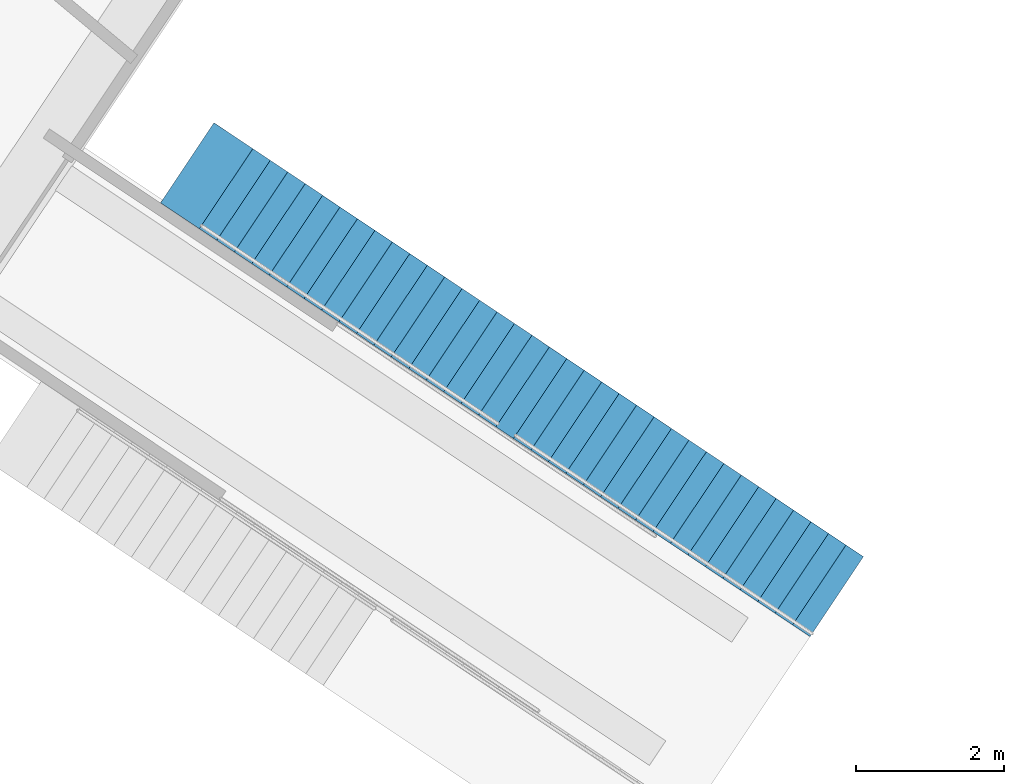
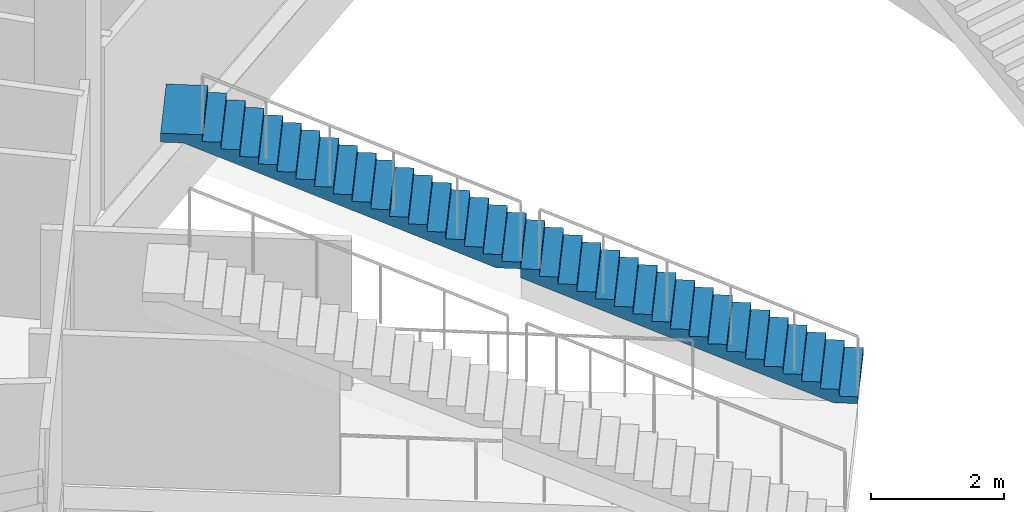
# One storey, part 119 of 175: 2 stair flights, 1 element without a shape of its own.
"""IFC4 building model written with IfcOpenShell, lengths in metres."""

from ifc_helpers import new_model, si_unit, direction, frame, origin, place, context, subcontext, project, spatial, faceted_brep, material, type_object, element, aggregate, save


model = new_model("IFC4")

# Units and contexts
model_context = context("Model", 3, precision=1e-05, world=origin(), true_north=direction((0.0, 1.0)))
body_context = subcontext(model_context, "Body", "Model", "MODEL_VIEW")
ifc_project = project(units=[si_unit("LENGTHUNIT", "METRE"), si_unit("AREAUNIT", "SQUARE_METRE"), si_unit("VOLUMEUNIT", "CUBIC_METRE"), si_unit("PLANEANGLEUNIT", "RADIAN"), si_unit("MASSUNIT", "GRAM", prefix="KILO")], contexts=[model_context])

# Site, building, storey
site_placement = place(None, origin())
site = spatial("IfcSite", under=ifc_project, at=site_placement, CompositionType="ELEMENT")
building_placement = place(site_placement, origin())
building = spatial("IfcBuilding", under=site, at=building_placement, Name="Ogive Plaza Stadium", CompositionType="ELEMENT")
storey_placement = place(building_placement, origin())
storey = spatial("IfcBuildingStorey", under=building, at=storey_placement, Name="L00", CompositionType="ELEMENT", Elevation=0.0)

# Stair, stair flights
ifc_material_1 = material(Name="Concrete C40/50", Category="concrete")
stair_type = type_object("IfcStairType", Name="Aisle stair", PredefinedType="STRAIGHT_RUN_STAIR", material=ifc_material_1)
stair_placement = place(storey_placement, origin())
stair = element("IfcStair", 1, at=stair_placement, inside=storey, type_object=stair_type, Name="Aisle stair SA29L", PredefinedType="STRAIGHT_RUN_STAIR")
ifc_material_2 = material(Name="Concrete C40/50", Category="concrete")
stair_flight_type = type_object("IfcStairFlightType", Name="Aisle stair flight", PredefinedType="STRAIGHT", material=ifc_material_2)
stair_flight_1_placement = place(storey_placement, frame((-45.43017578125, 62.6630859375, 0.0), z_axis=(0.0, 0.0, 1.0), x_axis=(-0.831469612303, 0.55557023302, 0.0)))
stair_flight_1 = element("IfcStairFlight", 2, at=stair_flight_1_placement, type_object=stair_flight_type, Name="SA29L flight 1", NumberOfRisers=18, NumberOfTreads=17, PredefinedType="STRAIGHT", RiserHeight=0.125, TreadLength=0.283333333, context=body_context, shape_type="Brep", body=[
    faceted_brep([(0.371337890625, -0.64990234375, 0.0), (5.10009765625, -0.64990234375, 2.086181640625), (5.10009765625, -0.64990234375, 2.25), (4.816650390625, -0.64990234375, 2.25), (4.816650390625, -0.64990234375, 2.125), (4.533447265625, -0.64990234375, 2.125), (4.533447265625, -0.64990234375, 2.0), (4.25, -0.64990234375, 2.0), (4.25, -0.64990234375, 1.875), (3.966552734375, -0.64990234375, 1.875), (3.966552734375, -0.64990234375, 1.75), (3.683349609375, -0.64990234375, 1.75), (3.683349609375, -0.64990234375, 1.625), (3.39990234375, -0.64990234375, 1.625), (3.39990234375, -0.64990234375, 1.5), (3.11669921875, -0.64990234375, 1.5), (3.11669921875, -0.64990234375, 1.375), (2.833251953125, -0.64990234375, 1.375), (2.833251953125, -0.64990234375, 1.25), (2.550048828125, -0.64990234375, 1.25), (2.550048828125, -0.64990234375, 1.125), (2.2666015625, -0.64990234375, 1.125), (2.2666015625, -0.64990234375, 1.0), (1.9833984375, -0.64990234375, 1.0), (1.9833984375, -0.64990234375, 0.875), (1.699951171875, -0.64990234375, 0.875), (1.699951171875, -0.64990234375, 0.75), (1.416748046875, -0.64990234375, 0.75), (1.416748046875, -0.64990234375, 0.625), (1.13330078125, -0.64990234375, 0.625), (1.13330078125, -0.64990234375, 0.5), (0.85009765625, -0.64990234375, 0.5), (0.85009765625, -0.64990234375, 0.375), (0.566650390625, -0.64990234375, 0.375), (0.566650390625, -0.64990234375, 0.25), (0.283447265625, -0.64990234375, 0.25), (0.283447265625, -0.64990234375, 0.125), (0.0, -0.64990234375, 0.125), (0.0, -0.64990234375, 0.0), (0.0, 0.64990234375, 0.0), (0.0, 0.64990234375, 0.125), (0.283447265625, 0.64990234375, 0.125), (0.283447265625, 0.64990234375, 0.25), (0.566650390625, 0.64990234375, 0.25), (0.566650390625, 0.64990234375, 0.375), (0.85009765625, 0.64990234375, 0.375), (0.85009765625, 0.64990234375, 0.5), (1.13330078125, 0.64990234375, 0.5), (1.13330078125, 0.64990234375, 0.625), (1.416748046875, 0.64990234375, 0.625), (1.416748046875, 0.64990234375, 0.75), (1.699951171875, 0.64990234375, 0.75), (1.699951171875, 0.64990234375, 0.875), (1.9833984375, 0.64990234375, 0.875), (1.9833984375, 0.64990234375, 1.0), (2.2666015625, 0.64990234375, 1.0), (2.2666015625, 0.64990234375, 1.125), (2.550048828125, 0.64990234375, 1.125), (2.550048828125, 0.64990234375, 1.25), (2.833251953125, 0.64990234375, 1.25), (2.833251953125, 0.64990234375, 1.375), (3.11669921875, 0.64990234375, 1.375), (3.11669921875, 0.64990234375, 1.5), (3.39990234375, 0.64990234375, 1.5), (3.39990234375, 0.64990234375, 1.625), (3.683349609375, 0.64990234375, 1.625), (3.683349609375, 0.64990234375, 1.75), (3.966552734375, 0.64990234375, 1.75), (3.966552734375, 0.64990234375, 1.875), (4.25, 0.64990234375, 1.875), (4.25, 0.64990234375, 2.0), (4.533447265625, 0.64990234375, 2.0), (4.533447265625, 0.64990234375, 2.125), (4.816650390625, 0.64990234375, 2.125), (4.816650390625, 0.64990234375, 2.25), (5.10009765625, 0.64990234375, 2.25), (5.10009765625, 0.64990234375, 2.086181640625), (0.371337890625, 0.64990234375, 0.0), (0.371337890625, -0.324951171875, 0.0), (5.10009765625, -0.324951171875, 2.086181640625), (0.371337890625, 0.0, 0.0), (5.10009765625, 0.0, 2.086181640625), (0.371337890625, 0.324951171875, 0.0), (5.10009765625, 0.324951171875, 2.086181640625), (5.10009765625, -0.324951171875, 2.25), (5.10009765625, 0.0, 2.25), (5.10009765625, 0.324951171875, 2.25), (4.816650390625, -0.324951171875, 2.25), (4.816650390625, 0.0, 2.25), (4.816650390625, 0.324951171875, 2.25), (4.816650390625, -0.324951171875, 2.125), (4.816650390625, 0.0, 2.125), (4.816650390625, 0.324951171875, 2.125), (4.533447265625, -0.324951171875, 2.125), (4.533447265625, 0.0, 2.125), (4.533447265625, 0.324951171875, 2.125), (4.533447265625, -0.324951171875, 2.0), (4.533447265625, 0.0, 2.0), (4.533447265625, 0.324951171875, 2.0), (4.25, -0.324951171875, 2.0), (4.25, 0.0, 2.0), (4.25, 0.324951171875, 2.0), (4.25, -0.324951171875, 1.875), (4.25, 0.0, 1.875), (4.25, 0.324951171875, 1.875), (3.966552734375, -0.324951171875, 1.875), (3.966552734375, 0.0, 1.875), (3.966552734375, 0.324951171875, 1.875), (3.966552734375, -0.324951171875, 1.75), (3.966552734375, 0.0, 1.75), (3.966552734375, 0.324951171875, 1.75), (3.683349609375, -0.324951171875, 1.75), (3.683349609375, 0.0, 1.75), (3.683349609375, 0.324951171875, 1.75), (3.683349609375, -0.324951171875, 1.625), (3.683349609375, 0.0, 1.625), (3.683349609375, 0.324951171875, 1.625), (3.39990234375, -0.324951171875, 1.625), (3.39990234375, 0.0, 1.625), (3.39990234375, 0.324951171875, 1.625), (3.39990234375, -0.324951171875, 1.5), (3.39990234375, 0.0, 1.5), (3.39990234375, 0.324951171875, 1.5), (3.11669921875, -0.324951171875, 1.5), (3.11669921875, 0.0, 1.5), (3.11669921875, 0.324951171875, 1.5), (3.11669921875, -0.324951171875, 1.375), (3.11669921875, 0.0, 1.375), (3.11669921875, 0.324951171875, 1.375), (2.833251953125, -0.324951171875, 1.375), (2.833251953125, 0.0, 1.375), (2.833251953125, 0.324951171875, 1.375), (2.833251953125, -0.324951171875, 1.25), (2.833251953125, 0.0, 1.25), (2.833251953125, 0.324951171875, 1.25), (2.550048828125, -0.324951171875, 1.25), (2.550048828125, 0.0, 1.25), (2.550048828125, 0.324951171875, 1.25), (2.550048828125, -0.324951171875, 1.125), (2.550048828125, 0.0, 1.125), (2.550048828125, 0.324951171875, 1.125), (2.2666015625, -0.324951171875, 1.125), (2.2666015625, 0.0, 1.125), (2.2666015625, 0.324951171875, 1.125), (2.2666015625, -0.324951171875, 1.0), (2.2666015625, 0.0, 1.0), (2.2666015625, 0.324951171875, 1.0), (1.9833984375, -0.324951171875, 1.0), (1.9833984375, 0.0, 1.0), (1.9833984375, 0.324951171875, 1.0), (1.9833984375, -0.324951171875, 0.875), (1.9833984375, 0.0, 0.875), (1.9833984375, 0.324951171875, 0.875), (1.699951171875, -0.324951171875, 0.875), (1.699951171875, 0.0, 0.875), (1.699951171875, 0.324951171875, 0.875), (1.699951171875, -0.324951171875, 0.75), (1.699951171875, 0.0, 0.75), (1.699951171875, 0.324951171875, 0.75), (1.416748046875, -0.324951171875, 0.75), (1.416748046875, 0.0, 0.75), (1.416748046875, 0.324951171875, 0.75), (1.416748046875, -0.324951171875, 0.625), (1.416748046875, 0.0, 0.625), (1.416748046875, 0.324951171875, 0.625), (1.13330078125, -0.324951171875, 0.625), (1.13330078125, 0.0, 0.625), (1.13330078125, 0.324951171875, 0.625), (1.13330078125, -0.324951171875, 0.5), (1.13330078125, 0.0, 0.5), (1.13330078125, 0.324951171875, 0.5), (0.85009765625, -0.324951171875, 0.5), (0.85009765625, 0.0, 0.5), (0.85009765625, 0.324951171875, 0.5), (0.85009765625, -0.324951171875, 0.375), (0.85009765625, 0.0, 0.375), (0.85009765625, 0.324951171875, 0.375), (0.566650390625, -0.324951171875, 0.375), (0.566650390625, 0.0, 0.375), (0.566650390625, 0.324951171875, 0.375), (0.566650390625, -0.324951171875, 0.25), (0.566650390625, 0.0, 0.25), (0.566650390625, 0.324951171875, 0.25), (0.283447265625, -0.324951171875, 0.25), (0.283447265625, 0.0, 0.25), (0.283447265625, 0.324951171875, 0.25), (0.283447265625, -0.324951171875, 0.125), (0.283447265625, 0.0, 0.125), (0.283447265625, 0.324951171875, 0.125), (0.0, -0.324951171875, 0.125), (0.0, 0.0, 0.125), (0.0, 0.324951171875, 0.125), (0.0, -0.324951171875, 0.0), (0.0, 0.0, 0.0), (0.0, 0.324951171875, 0.0)], [[[0, 1, 2, 3, 4, 5, 6, 7, 8, 9, 10, 11, 12, 13, 14, 15, 16, 17, 18, 19, 20, 21, 22, 23, 24, 25, 26, 27, 28, 29, 30, 31, 32, 33, 34, 35, 36, 37, 38]], [[39, 40, 41, 42, 43, 44, 45, 46, 47, 48, 49, 50, 51, 52, 53, 54, 55, 56, 57, 58, 59, 60, 61, 62, 63, 64, 65, 66, 67, 68, 69, 70, 71, 72, 73, 74, 75, 76, 77]], [[0, 78, 79, 1]], [[78, 80, 81, 79]], [[80, 82, 83, 81]], [[82, 77, 76, 83]], [[1, 79, 84, 2]], [[79, 81, 85, 84]], [[81, 83, 86, 85]], [[83, 76, 75, 86]], [[2, 84, 87, 3]], [[84, 85, 88, 87]], [[85, 86, 89, 88]], [[86, 75, 74, 89]], [[3, 87, 90, 4]], [[87, 88, 91, 90]], [[88, 89, 92, 91]], [[89, 74, 73, 92]], [[4, 90, 93, 5]], [[90, 91, 94, 93]], [[91, 92, 95, 94]], [[92, 73, 72, 95]], [[5, 93, 96, 6]], [[93, 94, 97, 96]], [[94, 95, 98, 97]], [[95, 72, 71, 98]], [[6, 96, 99, 7]], [[96, 97, 100, 99]], [[97, 98, 101, 100]], [[98, 71, 70, 101]], [[7, 99, 102, 8]], [[99, 100, 103, 102]], [[100, 101, 104, 103]], [[101, 70, 69, 104]], [[8, 102, 105, 9]], [[102, 103, 106, 105]], [[103, 104, 107, 106]], [[104, 69, 68, 107]], [[9, 105, 108, 10]], [[105, 106, 109, 108]], [[106, 107, 110, 109]], [[107, 68, 67, 110]], [[10, 108, 111, 11]], [[108, 109, 112, 111]], [[109, 110, 113, 112]], [[110, 67, 66, 113]], [[11, 111, 114, 12]], [[111, 112, 115, 114]], [[112, 113, 116, 115]], [[113, 66, 65, 116]], [[12, 114, 117, 13]], [[114, 115, 118, 117]], [[115, 116, 119, 118]], [[116, 65, 64, 119]], [[13, 117, 120, 14]], [[117, 118, 121, 120]], [[118, 119, 122, 121]], [[119, 64, 63, 122]], [[14, 120, 123, 15]], [[120, 121, 124, 123]], [[121, 122, 125, 124]], [[122, 63, 62, 125]], [[15, 123, 126, 16]], [[123, 124, 127, 126]], [[124, 125, 128, 127]], [[125, 62, 61, 128]], [[16, 126, 129, 17]], [[126, 127, 130, 129]], [[127, 128, 131, 130]], [[128, 61, 60, 131]], [[17, 129, 132, 18]], [[129, 130, 133, 132]], [[130, 131, 134, 133]], [[131, 60, 59, 134]], [[18, 132, 135, 19]], [[132, 133, 136, 135]], [[133, 134, 137, 136]], [[134, 59, 58, 137]], [[19, 135, 138, 20]], [[135, 136, 139, 138]], [[136, 137, 140, 139]], [[137, 58, 57, 140]], [[20, 138, 141, 21]], [[138, 139, 142, 141]], [[139, 140, 143, 142]], [[140, 57, 56, 143]], [[21, 141, 144, 22]], [[141, 142, 145, 144]], [[142, 143, 146, 145]], [[143, 56, 55, 146]], [[22, 144, 147, 23]], [[144, 145, 148, 147]], [[145, 146, 149, 148]], [[146, 55, 54, 149]], [[23, 147, 150, 24]], [[147, 148, 151, 150]], [[148, 149, 152, 151]], [[149, 54, 53, 152]], [[24, 150, 153, 25]], [[150, 151, 154, 153]], [[151, 152, 155, 154]], [[152, 53, 52, 155]], [[25, 153, 156, 26]], [[153, 154, 157, 156]], [[154, 155, 158, 157]], [[155, 52, 51, 158]], [[26, 156, 159, 27]], [[156, 157, 160, 159]], [[157, 158, 161, 160]], [[158, 51, 50, 161]], [[27, 159, 162, 28]], [[159, 160, 163, 162]], [[160, 161, 164, 163]], [[161, 50, 49, 164]], [[28, 162, 165, 29]], [[162, 163, 166, 165]], [[163, 164, 167, 166]], [[164, 49, 48, 167]], [[29, 165, 168, 30]], [[165, 166, 169, 168]], [[166, 167, 170, 169]], [[167, 48, 47, 170]], [[30, 168, 171, 31]], [[168, 169, 172, 171]], [[169, 170, 173, 172]], [[170, 47, 46, 173]], [[31, 171, 174, 32]], [[171, 172, 175, 174]], [[172, 173, 176, 175]], [[173, 46, 45, 176]], [[32, 174, 177, 33]], [[174, 175, 178, 177]], [[175, 176, 179, 178]], [[176, 45, 44, 179]], [[33, 177, 180, 34]], [[177, 178, 181, 180]], [[178, 179, 182, 181]], [[179, 44, 43, 182]], [[34, 180, 183, 35]], [[180, 181, 184, 183]], [[181, 182, 185, 184]], [[182, 43, 42, 185]], [[35, 183, 186, 36]], [[183, 184, 187, 186]], [[184, 185, 188, 187]], [[185, 42, 41, 188]], [[36, 186, 189, 37]], [[186, 187, 190, 189]], [[187, 188, 191, 190]], [[188, 41, 40, 191]], [[37, 189, 192, 38]], [[189, 190, 193, 192]], [[190, 191, 194, 193]], [[191, 40, 39, 194]], [[38, 192, 78, 0]], [[192, 193, 80, 78]], [[193, 194, 82, 80]], [[194, 39, 77, 82]]]),
])
stair_flight_2_placement = place(storey_placement, frame((-49.670654296875, 65.496337890625, 2.25), z_axis=(0.0, 0.0, 1.0), x_axis=(-0.831469612303, 0.55557023302, 0.0)))
stair_flight_2 = element("IfcStairFlight", 3, at=stair_flight_2_placement, type_object=stair_flight_type, Name="SA29L flight 2", NumberOfRisers=18, NumberOfTreads=17, PredefinedType="STRAIGHT", RiserHeight=0.125, TreadLength=0.283333333, context=body_context, shape_type="Brep", body=[
    faceted_brep([(0.371337890625, -0.64990234375, 0.0), (5.10009765625, -0.64990234375, 2.086181640625), (5.446533203125, -0.64990234375, 2.086181640625), (5.446533203125, -0.64990234375, 2.25), (4.816650390625, -0.64990234375, 2.25), (4.816650390625, -0.64990234375, 2.125), (4.533447265625, -0.64990234375, 2.125), (4.533447265625, -0.64990234375, 2.0), (4.25, -0.64990234375, 2.0), (4.25, -0.64990234375, 1.875), (3.966552734375, -0.64990234375, 1.875), (3.966552734375, -0.64990234375, 1.75), (3.683349609375, -0.64990234375, 1.75), (3.683349609375, -0.64990234375, 1.625), (3.39990234375, -0.64990234375, 1.625), (3.39990234375, -0.64990234375, 1.5), (3.11669921875, -0.64990234375, 1.5), (3.11669921875, -0.64990234375, 1.375), (2.833251953125, -0.64990234375, 1.375), (2.833251953125, -0.64990234375, 1.25), (2.550048828125, -0.64990234375, 1.25), (2.550048828125, -0.64990234375, 1.125), (2.2666015625, -0.64990234375, 1.125), (2.2666015625, -0.64990234375, 1.0), (1.9833984375, -0.64990234375, 1.0), (1.9833984375, -0.64990234375, 0.875), (1.699951171875, -0.64990234375, 0.875), (1.699951171875, -0.64990234375, 0.75), (1.416748046875, -0.64990234375, 0.75), (1.416748046875, -0.64990234375, 0.625), (1.13330078125, -0.64990234375, 0.625), (1.13330078125, -0.64990234375, 0.5), (0.85009765625, -0.64990234375, 0.5), (0.85009765625, -0.64990234375, 0.375), (0.566650390625, -0.64990234375, 0.375), (0.566650390625, -0.64990234375, 0.25), (0.283447265625, -0.64990234375, 0.25), (0.283447265625, -0.64990234375, 0.125), (0.0, -0.64990234375, 0.125), (0.0, -0.64990234375, 0.0), (0.0, 0.64990234375, 0.0), (0.0, 0.64990234375, 0.125), (0.283447265625, 0.64990234375, 0.125), (0.283447265625, 0.64990234375, 0.25), (0.566650390625, 0.64990234375, 0.25), (0.566650390625, 0.64990234375, 0.375), (0.85009765625, 0.64990234375, 0.375), (0.85009765625, 0.64990234375, 0.5), (1.13330078125, 0.64990234375, 0.5), (1.13330078125, 0.64990234375, 0.625), (1.416748046875, 0.64990234375, 0.625), (1.416748046875, 0.64990234375, 0.75), (1.699951171875, 0.64990234375, 0.75), (1.699951171875, 0.64990234375, 0.875), (1.9833984375, 0.64990234375, 0.875), (1.9833984375, 0.64990234375, 1.0), (2.2666015625, 0.64990234375, 1.0), (2.2666015625, 0.64990234375, 1.125), (2.550048828125, 0.64990234375, 1.125), (2.550048828125, 0.64990234375, 1.25), (2.833251953125, 0.64990234375, 1.25), (2.833251953125, 0.64990234375, 1.375), (3.11669921875, 0.64990234375, 1.375), (3.11669921875, 0.64990234375, 1.5), (3.39990234375, 0.64990234375, 1.5), (3.39990234375, 0.64990234375, 1.625), (3.683349609375, 0.64990234375, 1.625), (3.683349609375, 0.64990234375, 1.75), (3.966552734375, 0.64990234375, 1.75), (3.966552734375, 0.64990234375, 1.875), (4.25, 0.64990234375, 1.875), (4.25, 0.64990234375, 2.0), (4.533447265625, 0.64990234375, 2.0), (4.533447265625, 0.64990234375, 2.125), (4.816650390625, 0.64990234375, 2.125), (4.816650390625, 0.64990234375, 2.25), (5.446533203125, 0.64990234375, 2.25), (5.446533203125, 0.64990234375, 2.086181640625), (5.10009765625, 0.64990234375, 2.086181640625), (0.371337890625, 0.64990234375, 0.0), (0.371337890625, -0.324951171875, 0.0), (5.10009765625, -0.324951171875, 2.086181640625), (0.371337890625, 0.0, 0.0), (5.10009765625, 0.0, 2.086181640625), (0.371337890625, 0.324951171875, 0.0), (5.10009765625, 0.324951171875, 2.086181640625), (5.446533203125, -0.324951171875, 2.086181640625), (5.446533203125, 0.0, 2.086181640625), (5.446533203125, 0.324951171875, 2.086181640625), (5.446533203125, -0.324951171875, 2.25), (5.446533203125, 0.0, 2.25), (5.446533203125, 0.324951171875, 2.25), (4.816650390625, -0.324951171875, 2.25), (4.816650390625, 0.0, 2.25), (4.816650390625, 0.324951171875, 2.25), (4.816650390625, -0.324951171875, 2.125), (4.816650390625, 0.0, 2.125), (4.816650390625, 0.324951171875, 2.125), (4.533447265625, -0.324951171875, 2.125), (4.533447265625, 0.0, 2.125), (4.533447265625, 0.324951171875, 2.125), (4.533447265625, -0.324951171875, 2.0), (4.533447265625, 0.0, 2.0), (4.533447265625, 0.324951171875, 2.0), (4.25, -0.324951171875, 2.0), (4.25, 0.0, 2.0), (4.25, 0.324951171875, 2.0), (4.25, -0.324951171875, 1.875), (4.25, 0.0, 1.875), (4.25, 0.324951171875, 1.875), (3.966552734375, -0.324951171875, 1.875), (3.966552734375, 0.0, 1.875), (3.966552734375, 0.324951171875, 1.875), (3.966552734375, -0.324951171875, 1.75), (3.966552734375, 0.0, 1.75), (3.966552734375, 0.324951171875, 1.75), (3.683349609375, -0.324951171875, 1.75), (3.683349609375, 0.0, 1.75), (3.683349609375, 0.324951171875, 1.75), (3.683349609375, -0.324951171875, 1.625), (3.683349609375, 0.0, 1.625), (3.683349609375, 0.324951171875, 1.625), (3.39990234375, -0.324951171875, 1.625), (3.39990234375, 0.0, 1.625), (3.39990234375, 0.324951171875, 1.625), (3.39990234375, -0.324951171875, 1.5), (3.39990234375, 0.0, 1.5), (3.39990234375, 0.324951171875, 1.5), (3.11669921875, -0.324951171875, 1.5), (3.11669921875, 0.0, 1.5), (3.11669921875, 0.324951171875, 1.5), (3.11669921875, -0.324951171875, 1.375), (3.11669921875, 0.0, 1.375), (3.11669921875, 0.324951171875, 1.375), (2.833251953125, -0.324951171875, 1.375), (2.833251953125, 0.0, 1.375), (2.833251953125, 0.324951171875, 1.375), (2.833251953125, -0.324951171875, 1.25), (2.833251953125, 0.0, 1.25), (2.833251953125, 0.324951171875, 1.25), (2.550048828125, -0.324951171875, 1.25), (2.550048828125, 0.0, 1.25), (2.550048828125, 0.324951171875, 1.25), (2.550048828125, -0.324951171875, 1.125), (2.550048828125, 0.0, 1.125), (2.550048828125, 0.324951171875, 1.125), (2.2666015625, -0.324951171875, 1.125), (2.2666015625, 0.0, 1.125), (2.2666015625, 0.324951171875, 1.125), (2.2666015625, -0.324951171875, 1.0), (2.2666015625, 0.0, 1.0), (2.2666015625, 0.324951171875, 1.0), (1.9833984375, -0.324951171875, 1.0), (1.9833984375, 0.0, 1.0), (1.9833984375, 0.324951171875, 1.0), (1.9833984375, -0.324951171875, 0.875), (1.9833984375, 0.0, 0.875), (1.9833984375, 0.324951171875, 0.875), (1.699951171875, -0.324951171875, 0.875), (1.699951171875, 0.0, 0.875), (1.699951171875, 0.324951171875, 0.875), (1.699951171875, -0.324951171875, 0.75), (1.699951171875, 0.0, 0.75), (1.699951171875, 0.324951171875, 0.75), (1.416748046875, -0.324951171875, 0.75), (1.416748046875, 0.0, 0.75), (1.416748046875, 0.324951171875, 0.75), (1.416748046875, -0.324951171875, 0.625), (1.416748046875, 0.0, 0.625), (1.416748046875, 0.324951171875, 0.625), (1.13330078125, -0.324951171875, 0.625), (1.13330078125, 0.0, 0.625), (1.13330078125, 0.324951171875, 0.625), (1.13330078125, -0.324951171875, 0.5), (1.13330078125, 0.0, 0.5), (1.13330078125, 0.324951171875, 0.5), (0.85009765625, -0.324951171875, 0.5), (0.85009765625, 0.0, 0.5), (0.85009765625, 0.324951171875, 0.5), (0.85009765625, -0.324951171875, 0.375), (0.85009765625, 0.0, 0.375), (0.85009765625, 0.324951171875, 0.375), (0.566650390625, -0.324951171875, 0.375), (0.566650390625, 0.0, 0.375), (0.566650390625, 0.324951171875, 0.375), (0.566650390625, -0.324951171875, 0.25), (0.566650390625, 0.0, 0.25), (0.566650390625, 0.324951171875, 0.25), (0.283447265625, -0.324951171875, 0.25), (0.283447265625, 0.0, 0.25), (0.283447265625, 0.324951171875, 0.25), (0.283447265625, -0.324951171875, 0.125), (0.283447265625, 0.0, 0.125), (0.283447265625, 0.324951171875, 0.125), (0.0, -0.324951171875, 0.125), (0.0, 0.0, 0.125), (0.0, 0.324951171875, 0.125), (0.0, -0.324951171875, 0.0), (0.0, 0.0, 0.0), (0.0, 0.324951171875, 0.0)], [[[0, 1, 2, 3, 4, 5, 6, 7, 8, 9, 10, 11, 12, 13, 14, 15, 16, 17, 18, 19, 20, 21, 22, 23, 24, 25, 26, 27, 28, 29, 30, 31, 32, 33, 34, 35, 36, 37, 38, 39]], [[40, 41, 42, 43, 44, 45, 46, 47, 48, 49, 50, 51, 52, 53, 54, 55, 56, 57, 58, 59, 60, 61, 62, 63, 64, 65, 66, 67, 68, 69, 70, 71, 72, 73, 74, 75, 76, 77, 78, 79]], [[0, 80, 81, 1]], [[80, 82, 83, 81]], [[82, 84, 85, 83]], [[84, 79, 78, 85]], [[1, 81, 86, 2]], [[81, 83, 87, 86]], [[83, 85, 88, 87]], [[85, 78, 77, 88]], [[2, 86, 89, 3]], [[86, 87, 90, 89]], [[87, 88, 91, 90]], [[88, 77, 76, 91]], [[3, 89, 92, 4]], [[89, 90, 93, 92]], [[90, 91, 94, 93]], [[91, 76, 75, 94]], [[4, 92, 95, 5]], [[92, 93, 96, 95]], [[93, 94, 97, 96]], [[94, 75, 74, 97]], [[5, 95, 98, 6]], [[95, 96, 99, 98]], [[96, 97, 100, 99]], [[97, 74, 73, 100]], [[6, 98, 101, 7]], [[98, 99, 102, 101]], [[99, 100, 103, 102]], [[100, 73, 72, 103]], [[7, 101, 104, 8]], [[101, 102, 105, 104]], [[102, 103, 106, 105]], [[103, 72, 71, 106]], [[8, 104, 107, 9]], [[104, 105, 108, 107]], [[105, 106, 109, 108]], [[106, 71, 70, 109]], [[9, 107, 110, 10]], [[107, 108, 111, 110]], [[108, 109, 112, 111]], [[109, 70, 69, 112]], [[10, 110, 113, 11]], [[110, 111, 114, 113]], [[111, 112, 115, 114]], [[112, 69, 68, 115]], [[11, 113, 116, 12]], [[113, 114, 117, 116]], [[114, 115, 118, 117]], [[115, 68, 67, 118]], [[12, 116, 119, 13]], [[116, 117, 120, 119]], [[117, 118, 121, 120]], [[118, 67, 66, 121]], [[13, 119, 122, 14]], [[119, 120, 123, 122]], [[120, 121, 124, 123]], [[121, 66, 65, 124]], [[14, 122, 125, 15]], [[122, 123, 126, 125]], [[123, 124, 127, 126]], [[124, 65, 64, 127]], [[15, 125, 128, 16]], [[125, 126, 129, 128]], [[126, 127, 130, 129]], [[127, 64, 63, 130]], [[16, 128, 131, 17]], [[128, 129, 132, 131]], [[129, 130, 133, 132]], [[130, 63, 62, 133]], [[17, 131, 134, 18]], [[131, 132, 135, 134]], [[132, 133, 136, 135]], [[133, 62, 61, 136]], [[18, 134, 137, 19]], [[134, 135, 138, 137]], [[135, 136, 139, 138]], [[136, 61, 60, 139]], [[19, 137, 140, 20]], [[137, 138, 141, 140]], [[138, 139, 142, 141]], [[139, 60, 59, 142]], [[20, 140, 143, 21]], [[140, 141, 144, 143]], [[141, 142, 145, 144]], [[142, 59, 58, 145]], [[21, 143, 146, 22]], [[143, 144, 147, 146]], [[144, 145, 148, 147]], [[145, 58, 57, 148]], [[22, 146, 149, 23]], [[146, 147, 150, 149]], [[147, 148, 151, 150]], [[148, 57, 56, 151]], [[23, 149, 152, 24]], [[149, 150, 153, 152]], [[150, 151, 154, 153]], [[151, 56, 55, 154]], [[24, 152, 155, 25]], [[152, 153, 156, 155]], [[153, 154, 157, 156]], [[154, 55, 54, 157]], [[25, 155, 158, 26]], [[155, 156, 159, 158]], [[156, 157, 160, 159]], [[157, 54, 53, 160]], [[26, 158, 161, 27]], [[158, 159, 162, 161]], [[159, 160, 163, 162]], [[160, 53, 52, 163]], [[27, 161, 164, 28]], [[161, 162, 165, 164]], [[162, 163, 166, 165]], [[163, 52, 51, 166]], [[28, 164, 167, 29]], [[164, 165, 168, 167]], [[165, 166, 169, 168]], [[166, 51, 50, 169]], [[29, 167, 170, 30]], [[167, 168, 171, 170]], [[168, 169, 172, 171]], [[169, 50, 49, 172]], [[30, 170, 173, 31]], [[170, 171, 174, 173]], [[171, 172, 175, 174]], [[172, 49, 48, 175]], [[31, 173, 176, 32]], [[173, 174, 177, 176]], [[174, 175, 178, 177]], [[175, 48, 47, 178]], [[32, 176, 179, 33]], [[176, 177, 180, 179]], [[177, 178, 181, 180]], [[178, 47, 46, 181]], [[33, 179, 182, 34]], [[179, 180, 183, 182]], [[180, 181, 184, 183]], [[181, 46, 45, 184]], [[34, 182, 185, 35]], [[182, 183, 186, 185]], [[183, 184, 187, 186]], [[184, 45, 44, 187]], [[35, 185, 188, 36]], [[185, 186, 189, 188]], [[186, 187, 190, 189]], [[187, 44, 43, 190]], [[36, 188, 191, 37]], [[188, 189, 192, 191]], [[189, 190, 193, 192]], [[190, 43, 42, 193]], [[37, 191, 194, 38]], [[191, 192, 195, 194]], [[192, 193, 196, 195]], [[193, 42, 41, 196]], [[38, 194, 197, 39]], [[194, 195, 198, 197]], [[195, 196, 199, 198]], [[196, 41, 40, 199]], [[39, 197, 80, 0]], [[197, 198, 82, 80]], [[198, 199, 84, 82]], [[199, 40, 79, 84]]]),
])
aggregate(stair, [stair_flight_1, stair_flight_2])

save(model, "model.ifc")
